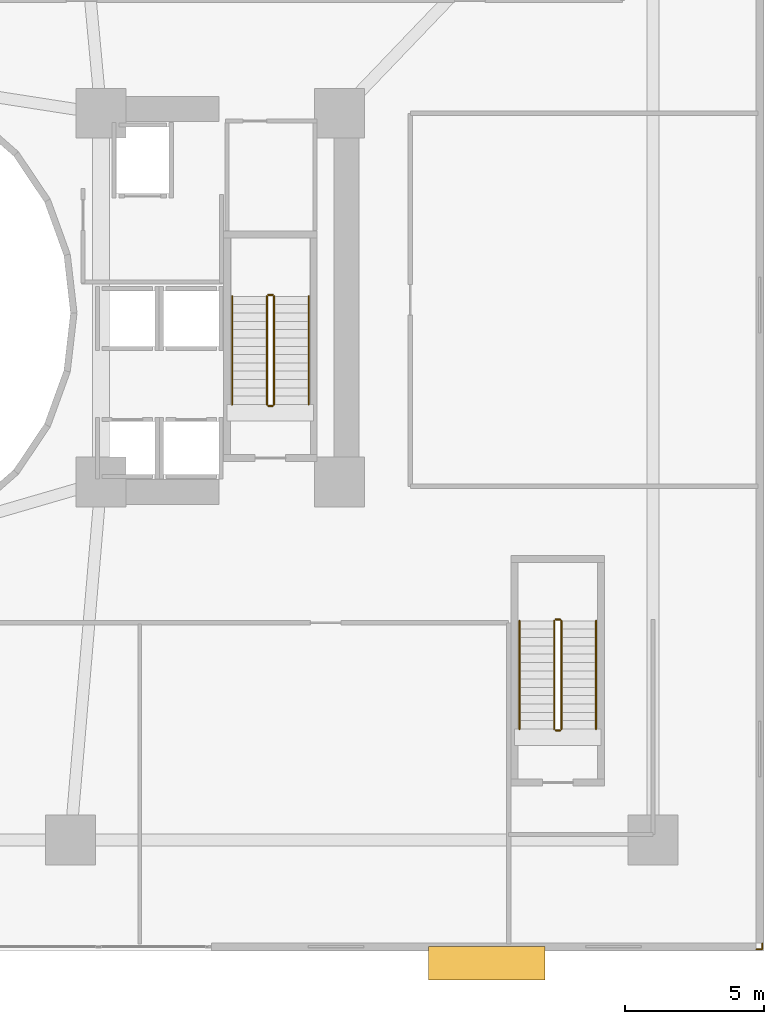
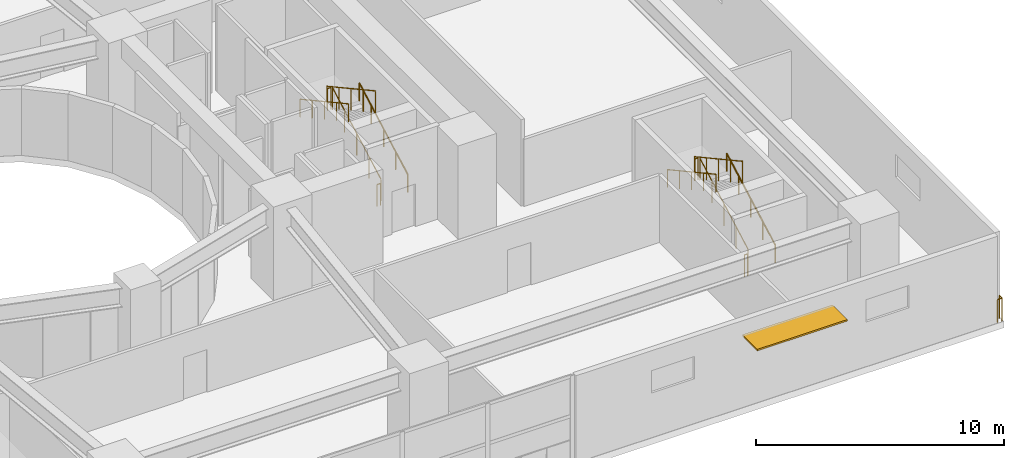
# One storey, part 18 of 20: 13 railings, 1 shading device.
"""IFC4 building model written with IfcOpenShell, lengths in metres."""

from ifc_helpers import new_model, si_unit, direction, frame, origin, origin_2d, place, context, subcontext, project, spatial, rectangle, circle, extrude, material, layer, layer_set, type_object, element, save


model = new_model("IFC4")

# Units and contexts
model_context = context("Model", 3, precision=1e-05, world=origin(), true_north=direction((0.0, 1.0)))
body_context = subcontext(model_context, "Body", "Model", "MODEL_VIEW")
ifc_project = project(units=[si_unit("LENGTHUNIT", "METRE"), si_unit("AREAUNIT", "SQUARE_METRE"), si_unit("VOLUMEUNIT", "CUBIC_METRE"), si_unit("PLANEANGLEUNIT", "RADIAN"), si_unit("MASSUNIT", "GRAM", prefix="KILO")], contexts=[model_context])

# Site, building, storey
site_placement = place(None, origin())
site = spatial("IfcSite", under=ifc_project, at=site_placement, CompositionType="ELEMENT")
building_placement = place(site_placement, origin())
building = spatial("IfcBuilding", under=site, at=building_placement, Name="Solvane Sanctuary Tower", CompositionType="ELEMENT")
storey_placement = place(building_placement, frame((0.0, 0.0, 9.199951171875)))
storey = spatial("IfcBuildingStorey", under=building, at=storey_placement, Name="L03", CompositionType="ELEMENT", Elevation=9.199951171875)

# Railings
ifc_material_1 = material(Name="Architectural Stainless Steel 316", Category="steel")
railing_type_1 = type_object("IfcRailingType", Name="Railing GR-BALC-1150", PredefinedType="BALUSTRADE", material=ifc_material_1)
railing_1_placement = place(storey_placement, frame((63.93994140625, 0.280029296875, 0.0)))
element("IfcRailing", 1, at=railing_1_placement, inside=storey, type_object=railing_type_1, Name="L03 Perimeter Slab Edge Guardrail 04", PredefinedType="BALUSTRADE", context=body_context, shape_type="SweptSolid", body=[
    extrude(circle(Radius=0.02392578125, at=origin_2d()), frame((0.0, 0.0, 1.1259765625), z_axis=(0.0, -1.0, 0.0), x_axis=(1.0, 0.0, 0.0)), (0.0, 0.0, 1.0), 0.219970703125),
    extrude(circle(Radius=0.02392578125, at=origin_2d()), frame((0.0, -0.219970703125, 1.1259765625), z_axis=(-1.0, 0.0, 0.0), x_axis=(0.0, -1.0, 0.0)), (0.0, 0.0, 1.0), 0.219970703125),
    extrude(circle(Radius=0.02099609375, at=origin_2d()), origin(), (0.0, 0.0, 1.0), 1.101806640625),
    extrude(circle(Radius=0.02099609375, at=origin_2d()), frame((0.0, -0.219970703125, 0.0)), (0.0, 0.0, 1.0), 1.101806640625),
    extrude(circle(Radius=0.02099609375, at=origin_2d()), frame((-0.219970703125, -0.219970703125, 0.0)), (0.0, 0.0, 1.0), 1.101806640625),
])
railing_2_placement = place(storey_placement, frame((46.340087890625, 19.699951171875, 0.164306640625)))
element("IfcRailing", 2, at=railing_2_placement, inside=storey, type_object=railing_type_1, Name="L03 ST-2 stair guard 1", PredefinedType="BALUSTRADE", context=body_context, shape_type="SweptSolid", body=[
    extrude(circle(Radius=0.02392578125, at=origin_2d()), frame((0.0, 0.0, 1.076171875), z_axis=(0.0, 0.877101224295, 0.480305571839), x_axis=(-1.0, 0.0, 0.0)), (0.0, 0.0, 1.0), 4.446533203125),
    extrude(circle(Radius=0.02099609375, at=origin_2d()), origin(), (0.0, 0.0, 1.0), 1.052001953125),
    extrude(circle(Radius=0.02099609375, at=origin_2d()), frame((0.0, 0.97509765625, 0.533935546875)), (0.0, 0.0, 1.0), 1.052001953125),
    extrude(circle(Radius=0.02099609375, at=origin_2d()), frame((0.0, 1.9501953125, 1.06787109375)), (0.0, 0.0, 1.0), 1.052001953125),
    extrude(circle(Radius=0.02099609375, at=origin_2d()), frame((0.0, 2.925048828125, 1.601806640625)), (0.0, 0.0, 1.0), 1.052001953125),
    extrude(circle(Radius=0.02099609375, at=origin_2d()), frame((0.0, 3.900146484375, 2.1357421875)), (0.0, 0.0, 1.0), 1.052001953125),
])
railing_3_placement = place(storey_placement, frame((46.2900390625, 23.64990234375, 2.300048828125)))
element("IfcRailing", 3, at=railing_3_placement, inside=storey, type_object=railing_type_1, Name="L03 ST-2 stair guard 2", PredefinedType="BALUSTRADE", context=body_context, shape_type="SweptSolid", body=[
    extrude(circle(Radius=0.02392578125, at=origin_2d()), frame((0.0, 0.0, 1.076171875), z_axis=(-1.0, 0.0, 0.0), x_axis=(0.0, -1.0, 0.0)), (0.0, 0.0, 1.0), 0.16015625),
    extrude(circle(Radius=0.02099609375, at=origin_2d()), origin(), (0.0, 0.0, 1.0), 1.052001953125),
    extrude(circle(Radius=0.02099609375, at=origin_2d()), frame((-0.16015625, 0.0, 0.0)), (0.0, 0.0, 1.0), 1.052001953125),
])
railing_4_placement = place(storey_placement, frame((46.080078125, 23.60009765625, 2.46435546875)))
element("IfcRailing", 4, at=railing_4_placement, inside=storey, type_object=railing_type_1, Name="L03 ST-2 stair guard 3", PredefinedType="BALUSTRADE", context=body_context, shape_type="SweptSolid", body=[
    extrude(circle(Radius=0.02392578125, at=origin_2d()), frame((0.0, 0.0, 1.076171875), z_axis=(0.0, -0.877101224295, 0.480305571839), x_axis=(1.0, 0.0, 0.0)), (0.0, 0.0, 1.0), 4.446533203125),
    extrude(circle(Radius=0.02099609375, at=origin_2d()), origin(), (0.0, 0.0, 1.0), 1.052001953125),
    extrude(circle(Radius=0.02099609375, at=origin_2d()), frame((0.0, -0.97509765625, 0.533935546875)), (0.0, 0.0, 1.0), 1.052001953125),
    extrude(circle(Radius=0.02099609375, at=origin_2d()), frame((0.0, -1.9501953125, 1.06787109375)), (0.0, 0.0, 1.0), 1.052001953125),
    extrude(circle(Radius=0.02099609375, at=origin_2d()), frame((0.0, -2.925048828125, 1.601806640625)), (0.0, 0.0, 1.0), 1.052001953125),
    extrude(circle(Radius=0.02099609375, at=origin_2d()), frame((0.0, -3.900146484375, 2.1357421875)), (0.0, 0.0, 1.0), 1.052001953125),
])
railing_5_placement = place(storey_placement, frame((46.2900390625, 19.64990234375, 0.0)))
element("IfcRailing", 5, at=railing_5_placement, inside=storey, type_object=railing_type_1, Name="L03 ST-2 stair guard 4", PredefinedType="BALUSTRADE", context=body_context, shape_type="SweptSolid", body=[
    extrude(circle(Radius=0.02392578125, at=origin_2d()), frame((0.0, 0.0, 1.076171875), z_axis=(-1.0, 0.0, 0.0), x_axis=(0.0, -1.0, 0.0)), (0.0, 0.0, 1.0), 0.16015625),
    extrude(circle(Radius=0.02099609375, at=origin_2d()), origin(), (0.0, 0.0, 1.0), 1.052001953125),
    extrude(circle(Radius=0.02099609375, at=origin_2d()), frame((-0.16015625, 0.0, 0.0)), (0.0, 0.0, 1.0), 1.052001953125),
])
railing_6_placement = place(storey_placement, frame((56.699951171875, 8.0, 0.164306640625)))
element("IfcRailing", 6, at=railing_6_placement, inside=storey, type_object=railing_type_1, Name="L03 ST-5 stair guard 1", PredefinedType="BALUSTRADE", context=body_context, shape_type="SweptSolid", body=[
    extrude(circle(Radius=0.02392578125, at=origin_2d()), frame((0.0, 0.0, 1.076171875), z_axis=(0.0, 0.877088557246, 0.480328702816), x_axis=(-1.0, 0.0, 0.0)), (0.0, 0.0, 1.0), 4.446533203125),
    extrude(circle(Radius=0.02099609375, at=origin_2d()), origin(), (0.0, 0.0, 1.0), 1.052001953125),
    extrude(circle(Radius=0.02099609375, at=origin_2d()), frame((0.0, 0.97509765625, 0.533935546875)), (0.0, 0.0, 1.0), 1.052001953125),
    extrude(circle(Radius=0.02099609375, at=origin_2d()), frame((0.0, 1.949951171875, 1.06787109375)), (0.0, 0.0, 1.0), 1.052001953125),
    extrude(circle(Radius=0.02099609375, at=origin_2d()), frame((0.0, 2.9248046875, 1.601806640625)), (0.0, 0.0, 1.0), 1.052001953125),
    extrude(circle(Radius=0.02099609375, at=origin_2d()), frame((0.0, 3.89990234375, 2.1357421875)), (0.0, 0.0, 1.0), 1.052001953125),
])
railing_7_placement = place(storey_placement, frame((56.64990234375, 11.949951171875, 2.300048828125)))
element("IfcRailing", 7, at=railing_7_placement, inside=storey, type_object=railing_type_1, Name="L03 ST-5 stair guard 2", PredefinedType="BALUSTRADE", context=body_context, shape_type="SweptSolid", body=[
    extrude(circle(Radius=0.02392578125, at=origin_2d()), frame((0.0, 0.0, 1.076171875), z_axis=(-1.0, 0.0, 0.0), x_axis=(0.0, -1.0, 0.0)), (0.0, 0.0, 1.0), 0.159912109375),
    extrude(circle(Radius=0.02099609375, at=origin_2d()), origin(), (0.0, 0.0, 1.0), 1.052001953125),
    extrude(circle(Radius=0.02099609375, at=origin_2d()), frame((-0.159912109375, 0.0, 0.0)), (0.0, 0.0, 1.0), 1.052001953125),
])
railing_8_placement = place(storey_placement, frame((56.43994140625, 11.89990234375, 2.46435546875)))
element("IfcRailing", 8, at=railing_8_placement, inside=storey, type_object=railing_type_1, Name="L03 ST-5 stair guard 3", PredefinedType="BALUSTRADE", context=body_context, shape_type="SweptSolid", body=[
    extrude(circle(Radius=0.02392578125, at=origin_2d()), frame((0.0, 0.0, 1.076171875), z_axis=(0.0, -0.877088557246, 0.480328702816), x_axis=(1.0, 0.0, 0.0)), (0.0, 0.0, 1.0), 4.446533203125),
    extrude(circle(Radius=0.02099609375, at=origin_2d()), origin(), (0.0, 0.0, 1.0), 1.052001953125),
    extrude(circle(Radius=0.02099609375, at=origin_2d()), frame((0.0, -0.97509765625, 0.533935546875)), (0.0, 0.0, 1.0), 1.052001953125),
    extrude(circle(Radius=0.02099609375, at=origin_2d()), frame((0.0, -1.949951171875, 1.06787109375)), (0.0, 0.0, 1.0), 1.052001953125),
    extrude(circle(Radius=0.02099609375, at=origin_2d()), frame((0.0, -2.9248046875, 1.601806640625)), (0.0, 0.0, 1.0), 1.052001953125),
    extrude(circle(Radius=0.02099609375, at=origin_2d()), frame((0.0, -3.89990234375, 2.1357421875)), (0.0, 0.0, 1.0), 1.052001953125),
])
railing_9_placement = place(storey_placement, frame((56.64990234375, 7.949951171875, 0.0)))
element("IfcRailing", 9, at=railing_9_placement, inside=storey, type_object=railing_type_1, Name="L03 ST-5 stair guard 4", PredefinedType="BALUSTRADE", context=body_context, shape_type="SweptSolid", body=[
    extrude(circle(Radius=0.02392578125, at=origin_2d()), frame((0.0, 0.0, 1.076171875), z_axis=(-1.0, 0.0, 0.0), x_axis=(0.0, -1.0, 0.0)), (0.0, 0.0, 1.0), 0.159912109375),
    extrude(circle(Radius=0.02099609375, at=origin_2d()), origin(), (0.0, 0.0, 1.0), 1.052001953125),
    extrude(circle(Radius=0.02099609375, at=origin_2d()), frame((-0.159912109375, 0.0, 0.0)), (0.0, 0.0, 1.0), 1.052001953125),
])
railing_type_2 = type_object("IfcRailingType", Name="Railing HR-STAIR-920", PredefinedType="HANDRAIL", material=ifc_material_1)
railing_10_placement = place(storey_placement, frame((47.590087890625, 19.699951171875, 0.164306640625)))
element("IfcRailing", 10, at=railing_10_placement, inside=storey, type_object=railing_type_2, Name="L03 ST-2 stair handrail 1", PredefinedType="HANDRAIL", context=body_context, shape_type="SweptSolid", body=[
    extrude(circle(Radius=0.02392578125, at=origin_2d()), frame((0.0, 0.0, 0.8759765625), z_axis=(0.0, 0.877101224295, 0.480305571839), x_axis=(-1.0, 0.0, 0.0)), (0.0, 0.0, 1.0), 4.446533203125),
    extrude(circle(Radius=0.02099609375, at=origin_2d()), origin(), (0.0, 0.0, 1.0), 0.851806640625),
    extrude(circle(Radius=0.02099609375, at=origin_2d()), frame((0.0, 0.97509765625, 0.533935546875)), (0.0, 0.0, 1.0), 0.851806640625),
    extrude(circle(Radius=0.02099609375, at=origin_2d()), frame((0.0, 1.9501953125, 1.06787109375)), (0.0, 0.0, 1.0), 0.851806640625),
    extrude(circle(Radius=0.02099609375, at=origin_2d()), frame((0.0, 2.925048828125, 1.601806640625)), (0.0, 0.0, 1.0), 0.851806640625),
    extrude(circle(Radius=0.02099609375, at=origin_2d()), frame((0.0, 3.900146484375, 2.1357421875)), (0.0, 0.0, 1.0), 0.851806640625),
])
railing_11_placement = place(storey_placement, frame((44.830078125, 23.60009765625, 2.46435546875)))
element("IfcRailing", 11, at=railing_11_placement, inside=storey, type_object=railing_type_2, Name="L03 ST-2 stair handrail 2", PredefinedType="HANDRAIL", context=body_context, shape_type="SweptSolid", body=[
    extrude(circle(Radius=0.02392578125, at=origin_2d()), frame((0.0, 0.0, 0.8759765625), z_axis=(0.0, -0.877101224295, 0.480305571839), x_axis=(1.0, 0.0, 0.0)), (0.0, 0.0, 1.0), 4.446533203125),
    extrude(circle(Radius=0.02099609375, at=origin_2d()), origin(), (0.0, 0.0, 1.0), 0.851806640625),
    extrude(circle(Radius=0.02099609375, at=origin_2d()), frame((0.0, -0.97509765625, 0.533935546875)), (0.0, 0.0, 1.0), 0.851806640625),
    extrude(circle(Radius=0.02099609375, at=origin_2d()), frame((0.0, -1.9501953125, 1.06787109375)), (0.0, 0.0, 1.0), 0.851806640625),
    extrude(circle(Radius=0.02099609375, at=origin_2d()), frame((0.0, -2.925048828125, 1.601806640625)), (0.0, 0.0, 1.0), 0.851806640625),
    extrude(circle(Radius=0.02099609375, at=origin_2d()), frame((0.0, -3.900146484375, 2.1357421875)), (0.0, 0.0, 1.0), 0.851806640625),
])
railing_12_placement = place(storey_placement, frame((57.949951171875, 8.0, 0.164306640625)))
element("IfcRailing", 12, at=railing_12_placement, inside=storey, type_object=railing_type_2, Name="L03 ST-5 stair handrail 1", PredefinedType="HANDRAIL", context=body_context, shape_type="SweptSolid", body=[
    extrude(circle(Radius=0.02392578125, at=origin_2d()), frame((0.0, 0.0, 0.8759765625), z_axis=(0.0, 0.877088557246, 0.480328702816), x_axis=(-1.0, 0.0, 0.0)), (0.0, 0.0, 1.0), 4.446533203125),
    extrude(circle(Radius=0.02099609375, at=origin_2d()), origin(), (0.0, 0.0, 1.0), 0.851806640625),
    extrude(circle(Radius=0.02099609375, at=origin_2d()), frame((0.0, 0.97509765625, 0.533935546875)), (0.0, 0.0, 1.0), 0.851806640625),
    extrude(circle(Radius=0.02099609375, at=origin_2d()), frame((0.0, 1.949951171875, 1.06787109375)), (0.0, 0.0, 1.0), 0.851806640625),
    extrude(circle(Radius=0.02099609375, at=origin_2d()), frame((0.0, 2.9248046875, 1.601806640625)), (0.0, 0.0, 1.0), 0.851806640625),
    extrude(circle(Radius=0.02099609375, at=origin_2d()), frame((0.0, 3.89990234375, 2.1357421875)), (0.0, 0.0, 1.0), 0.851806640625),
])
railing_13_placement = place(storey_placement, frame((55.18994140625, 11.89990234375, 2.46435546875)))
element("IfcRailing", 13, at=railing_13_placement, inside=storey, type_object=railing_type_2, Name="L03 ST-5 stair handrail 2", PredefinedType="HANDRAIL", context=body_context, shape_type="SweptSolid", body=[
    extrude(circle(Radius=0.02392578125, at=origin_2d()), frame((0.0, 0.0, 0.8759765625), z_axis=(0.0, -0.877088557246, 0.480328702816), x_axis=(1.0, 0.0, 0.0)), (0.0, 0.0, 1.0), 4.446533203125),
    extrude(circle(Radius=0.02099609375, at=origin_2d()), origin(), (0.0, 0.0, 1.0), 0.851806640625),
    extrude(circle(Radius=0.02099609375, at=origin_2d()), frame((0.0, -0.97509765625, 0.533935546875)), (0.0, 0.0, 1.0), 0.851806640625),
    extrude(circle(Radius=0.02099609375, at=origin_2d()), frame((0.0, -1.949951171875, 1.06787109375)), (0.0, 0.0, 1.0), 0.851806640625),
    extrude(circle(Radius=0.02099609375, at=origin_2d()), frame((0.0, -2.9248046875, 1.601806640625)), (0.0, 0.0, 1.0), 0.851806640625),
    extrude(circle(Radius=0.02099609375, at=origin_2d()), frame((0.0, -3.89990234375, 2.1357421875)), (0.0, 0.0, 1.0), 0.851806640625),
])

# Shading device
ifc_material_2 = material(Name="Anodised Aluminium 6063-T6", Category="aluminium")
ifc_layer = layer(ifc_material_2, 0.080078125, Name="Anodised Aluminium 6063-T6")
ifc_layer_set = layer_set([ifc_layer], Name="Anodised Aluminium 6063-T6")
shading_device_type = type_object("IfcShadingDeviceType", Name="Shading SHD-SUNSHADE", PredefinedType="AWNING", material=ifc_layer_set)
shading_device_placement = place(storey_placement, frame((54.0, -0.449951171875, 3.409912109375), z_axis=(0.0, 0.0, 1.0), x_axis=(1.0, 0.0, 0.0)))
element("IfcShadingDevice", 14, at=shading_device_placement, inside=storey, type_object=shading_device_type, Name="L03 Tropical Sunshade Canopy S2", PredefinedType="AWNING", context=body_context, shape_type="SweptSolid", body=[
    extrude(rectangle(XDim=4.199951171875, YDim=1.199951171875, at=origin_2d()), origin(), (0.0, 0.0, 1.0), 0.080078125),
])

save(model, "model.ifc")
